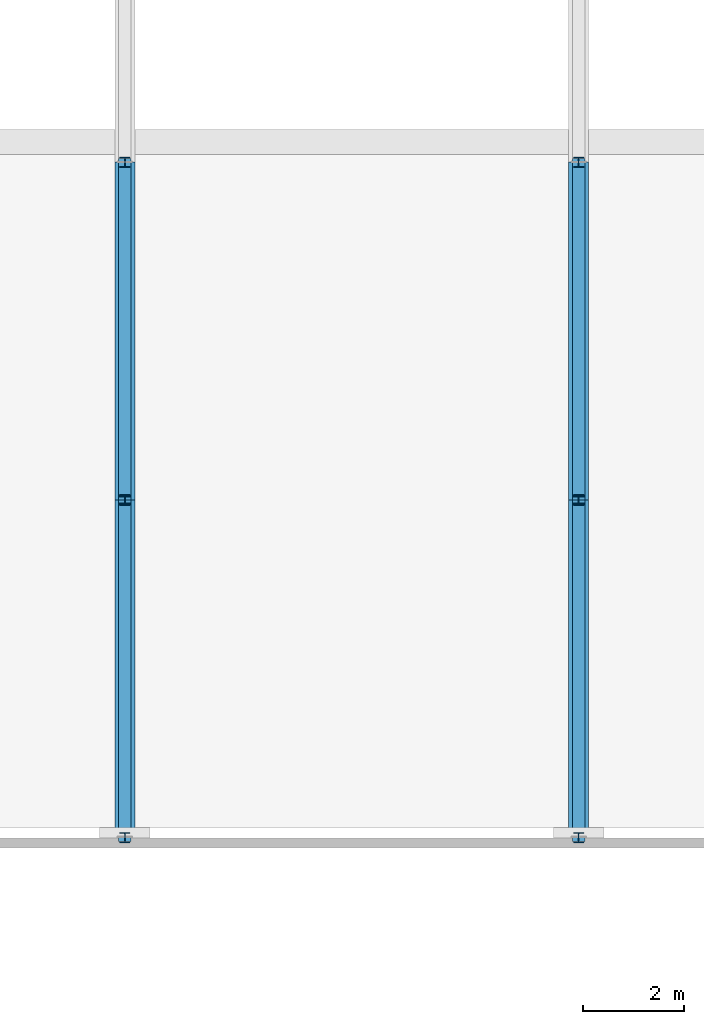
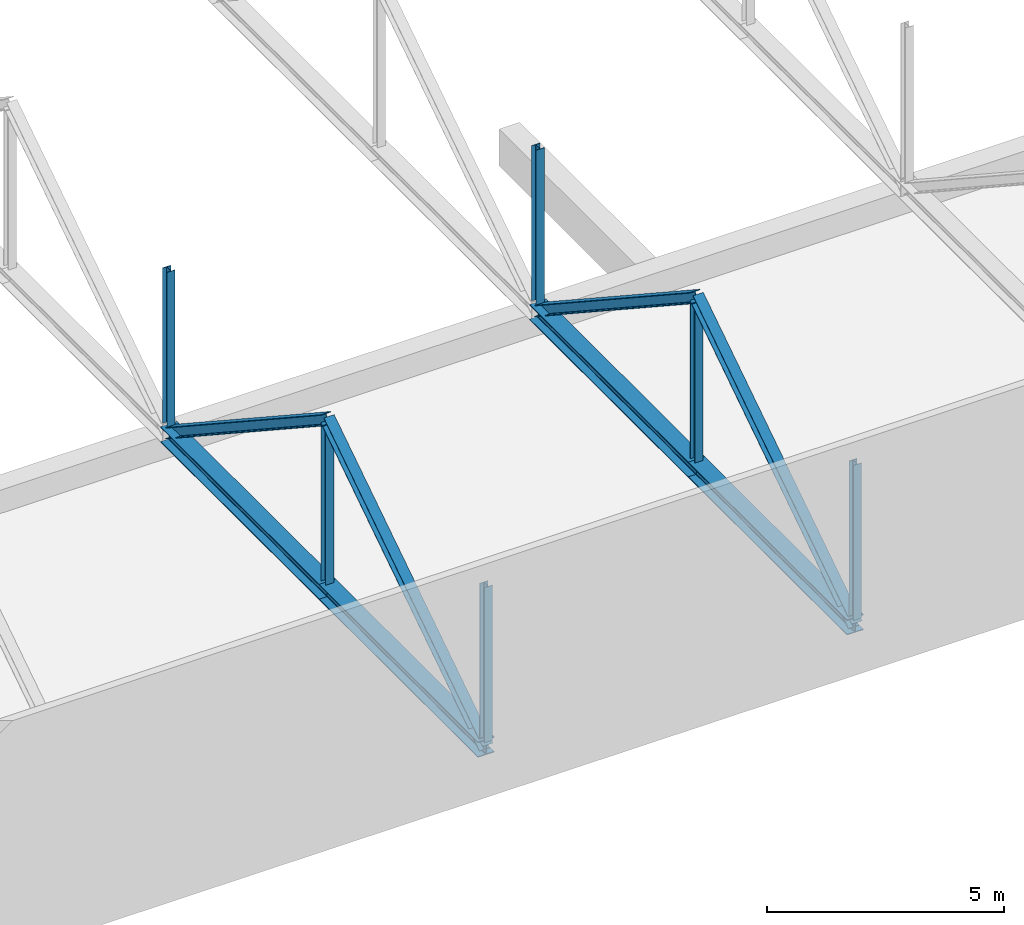
# One storey, part 8 of 49: 14 members.
"""IFC4 building model written with IfcOpenShell, lengths in metres."""

from ifc_helpers import new_model, si_unit, direction, frame, origin, origin_2d, place, context, subcontext, project, spatial, i_section, extrude, material, material_profile, profile_set, type_object, element, save


model = new_model("IFC4")

# Units and contexts
model_context = context("Model", 3, precision=1e-05, world=origin(), true_north=direction((0.0, 1.0)))
body_context = subcontext(model_context, "Body", "Model", "MODEL_VIEW")
ifc_project = project(units=[si_unit("LENGTHUNIT", "METRE"), si_unit("AREAUNIT", "SQUARE_METRE"), si_unit("VOLUMEUNIT", "CUBIC_METRE"), si_unit("PLANEANGLEUNIT", "RADIAN"), si_unit("MASSUNIT", "GRAM", prefix="KILO")], contexts=[model_context])

# Site, building, storey
site_placement = place(None, origin())
site = spatial("IfcSite", under=ifc_project, at=site_placement, CompositionType="ELEMENT")
building_placement = place(site_placement, origin())
building = spatial("IfcBuilding", under=site, at=building_placement, Name="Hunhe Ridgeline Campus", CompositionType="ELEMENT")
storey_placement = place(building_placement, frame((0.0, 0.0, 21.60009765625)))
storey = spatial("IfcBuildingStorey", under=building, at=storey_placement, Name="L04", CompositionType="ELEMENT", Elevation=21.60009765625)

# Members
ifc_material = material(Name="Steel Q355", Category="steel")
ifc_material_profile_1 = material_profile(ifc_material, i_section(OverallWidth=0.39990234375, OverallDepth=0.39990234375, WebThickness=0.012939453125, FlangeThickness=0.02099609375, FilletRadius=0.02197265625, at=origin_2d()))
ifc_profile_set_1 = profile_set([ifc_material_profile_1], Name="Steel Q355")
member_type_1 = type_object("IfcMemberType", Name="Roof truss chord HW400x400x13x21 Q355", PredefinedType="CHORD", material=ifc_profile_set_1)
member_1_placement = place(storey_placement, frame((180.0, 22.699951171875, 0.789794921875), z_axis=(0.0, 1.0, 0.0), x_axis=(-1.0, 0.0, 0.0)))
element("IfcMember", 1, at=member_1_placement, inside=storey, type_object=member_type_1, Name="Roof truss 4 bottom chord 1", PredefinedType="CHORD", context=body_context, shape_type="SweptSolid", body=[
    extrude(i_section(OverallWidth=0.39990234375, OverallDepth=0.39990234375, WebThickness=0.012939453125, FlangeThickness=0.02099609375, FilletRadius=0.02197265625, at=origin_2d()), origin(), (0.0, 0.0, 1.0), 6.699951171875),
])
member_2_placement = place(storey_placement, frame((180.0, 29.39990234375, 0.789794921875), z_axis=(0.0, 1.0, 0.0), x_axis=(-1.0, 0.0, 0.0)))
element("IfcMember", 2, at=member_2_placement, inside=storey, type_object=member_type_1, Name="Roof truss 4 bottom chord 2", PredefinedType="CHORD", context=body_context, shape_type="SweptSolid", body=[
    extrude(i_section(OverallWidth=0.39990234375, OverallDepth=0.39990234375, WebThickness=0.012939453125, FlangeThickness=0.02099609375, FilletRadius=0.02197265625, at=origin_2d()), origin(), (0.0, 0.0, 1.0), 6.7001953125),
])
member_3_placement = place(storey_placement, frame((189.0, 22.699951171875, 0.789794921875), z_axis=(0.0, 1.0, 0.0), x_axis=(-1.0, 0.0, 0.0)))
element("IfcMember", 3, at=member_3_placement, inside=storey, type_object=member_type_1, Name="Roof truss 5 bottom chord 1", PredefinedType="CHORD", context=body_context, shape_type="SweptSolid", body=[
    extrude(i_section(OverallWidth=0.39990234375, OverallDepth=0.39990234375, WebThickness=0.012939453125, FlangeThickness=0.02099609375, FilletRadius=0.02197265625, at=origin_2d()), origin(), (0.0, 0.0, 1.0), 6.699951171875),
])
member_4_placement = place(storey_placement, frame((189.0, 29.39990234375, 0.789794921875), z_axis=(0.0, 1.0, 0.0), x_axis=(-1.0, 0.0, 0.0)))
element("IfcMember", 4, at=member_4_placement, inside=storey, type_object=member_type_1, Name="Roof truss 5 bottom chord 2", PredefinedType="CHORD", context=body_context, shape_type="SweptSolid", body=[
    extrude(i_section(OverallWidth=0.39990234375, OverallDepth=0.39990234375, WebThickness=0.012939453125, FlangeThickness=0.02099609375, FilletRadius=0.02197265625, at=origin_2d()), origin(), (0.0, 0.0, 1.0), 6.7001953125),
])
ifc_material_profile_2 = material_profile(ifc_material, i_section(OverallWidth=0.25, OverallDepth=0.25, WebThickness=0.009033203125, FlangeThickness=0.013916015625, FilletRadius=0.012939453125, at=origin_2d()))
ifc_profile_set_2 = profile_set([ifc_material_profile_2], Name="Steel Q355")
member_type_2 = type_object("IfcMemberType", Name="Roof truss diagonal HW250x250x9x14 Q355", PredefinedType="BRACE", material=ifc_profile_set_2)
member_5_placement = place(storey_placement, frame((180.0, 22.699951171875, 0.789794921875), z_axis=(0.0, 0.835858813721, 0.548944481277), x_axis=(-1.0, 0.0, 0.0)))
element("IfcMember", 5, at=member_5_placement, inside=storey, type_object=member_type_2, Name="Roof truss 4 diagonal 1", PredefinedType="BRACE", context=body_context, shape_type="SweptSolid", body=[
    extrude(i_section(OverallWidth=0.25, OverallDepth=0.25, WebThickness=0.009033203125, FlangeThickness=0.013916015625, FilletRadius=0.012939453125, at=origin_2d()), origin(), (0.0, 0.0, 1.0), 8.015625),
])
member_6_placement = place(storey_placement, frame((180.0, 29.39990234375, 5.18994140625), z_axis=(0.0, 0.835867991585, -0.548930506207), x_axis=(-1.0, 0.0, 0.0)))
element("IfcMember", 6, at=member_6_placement, inside=storey, type_object=member_type_2, Name="Roof truss 4 diagonal 2", PredefinedType="BRACE", context=body_context, shape_type="SweptSolid", body=[
    extrude(i_section(OverallWidth=0.25, OverallDepth=0.25, WebThickness=0.009033203125, FlangeThickness=0.013916015625, FilletRadius=0.012939453125, at=origin_2d()), origin(), (0.0, 0.0, 1.0), 8.015869140625),
])
member_7_placement = place(storey_placement, frame((189.0, 22.699951171875, 0.789794921875), z_axis=(0.0, 0.835858813721, 0.548944481277), x_axis=(-1.0, 0.0, 0.0)))
element("IfcMember", 7, at=member_7_placement, inside=storey, type_object=member_type_2, Name="Roof truss 5 diagonal 1", PredefinedType="BRACE", context=body_context, shape_type="SweptSolid", body=[
    extrude(i_section(OverallWidth=0.25, OverallDepth=0.25, WebThickness=0.009033203125, FlangeThickness=0.013916015625, FilletRadius=0.012939453125, at=origin_2d()), origin(), (0.0, 0.0, 1.0), 8.015625),
])
member_8_placement = place(storey_placement, frame((189.0, 29.39990234375, 5.18994140625), z_axis=(0.0, 0.835867991585, -0.548930506207), x_axis=(-1.0, 0.0, 0.0)))
element("IfcMember", 8, at=member_8_placement, inside=storey, type_object=member_type_2, Name="Roof truss 5 diagonal 2", PredefinedType="BRACE", context=body_context, shape_type="SweptSolid", body=[
    extrude(i_section(OverallWidth=0.25, OverallDepth=0.25, WebThickness=0.009033203125, FlangeThickness=0.013916015625, FilletRadius=0.012939453125, at=origin_2d()), origin(), (0.0, 0.0, 1.0), 8.015869140625),
])
ifc_material_profile_3 = material_profile(ifc_material, i_section(OverallWidth=0.199951171875, OverallDepth=0.199951171875, WebThickness=0.008056640625, FlangeThickness=0.011962890625, FilletRadius=0.012939453125, at=origin_2d()))
ifc_profile_set_3 = profile_set([ifc_material_profile_3], Name="Steel Q355")
member_type_3 = type_object("IfcMemberType", Name="Roof truss post HW200x200x8x12 Q355", PredefinedType="POST", material=ifc_profile_set_3)
for number, where, z_axis, x_axis, name in (
    (9, (180.0, 22.699951171875, 0.989990234375), (0.0, 0.0, 1.0), (1.0, 0.0, 0.0), "Roof truss 4 post 0"),
    (10, (180.0, 29.39990234375, 0.989990234375), (0.0, 0.0, 1.0), (1.0, 0.0, 0.0), "Roof truss 4 post 1"),
    (11, (180.0, 36.10009765625, 0.989990234375), (0.0, 0.0, 1.0), (1.0, 0.0, 0.0), "Roof truss 4 post 2"),
    (12, (189.0, 22.699951171875, 0.989990234375), (0.0, 0.0, 1.0), (1.0, 0.0, 0.0), "Roof truss 5 post 0"),
    (13, (189.0, 29.39990234375, 0.989990234375), (0.0, 0.0, 1.0), (1.0, 0.0, 0.0), "Roof truss 5 post 1"),
    (14, (189.0, 36.10009765625, 0.989990234375), (0.0, 0.0, 1.0), (1.0, 0.0, 0.0), "Roof truss 5 post 2"),
):
    element("IfcMember", number, at=place(storey_placement, frame(where, z_axis=z_axis, x_axis=x_axis)), inside=storey, type_object=member_type_3, Name=name, PredefinedType="POST", context=body_context, shape_type="SweptSolid", body=[
        extrude(i_section(OverallWidth=0.199951171875, OverallDepth=0.199951171875, WebThickness=0.008056640625, FlangeThickness=0.011962890625, FilletRadius=0.012939453125, at=origin_2d()), origin(), (0.0, 0.0, 1.0), 4.0),
    ])

save(model, "model.ifc")
